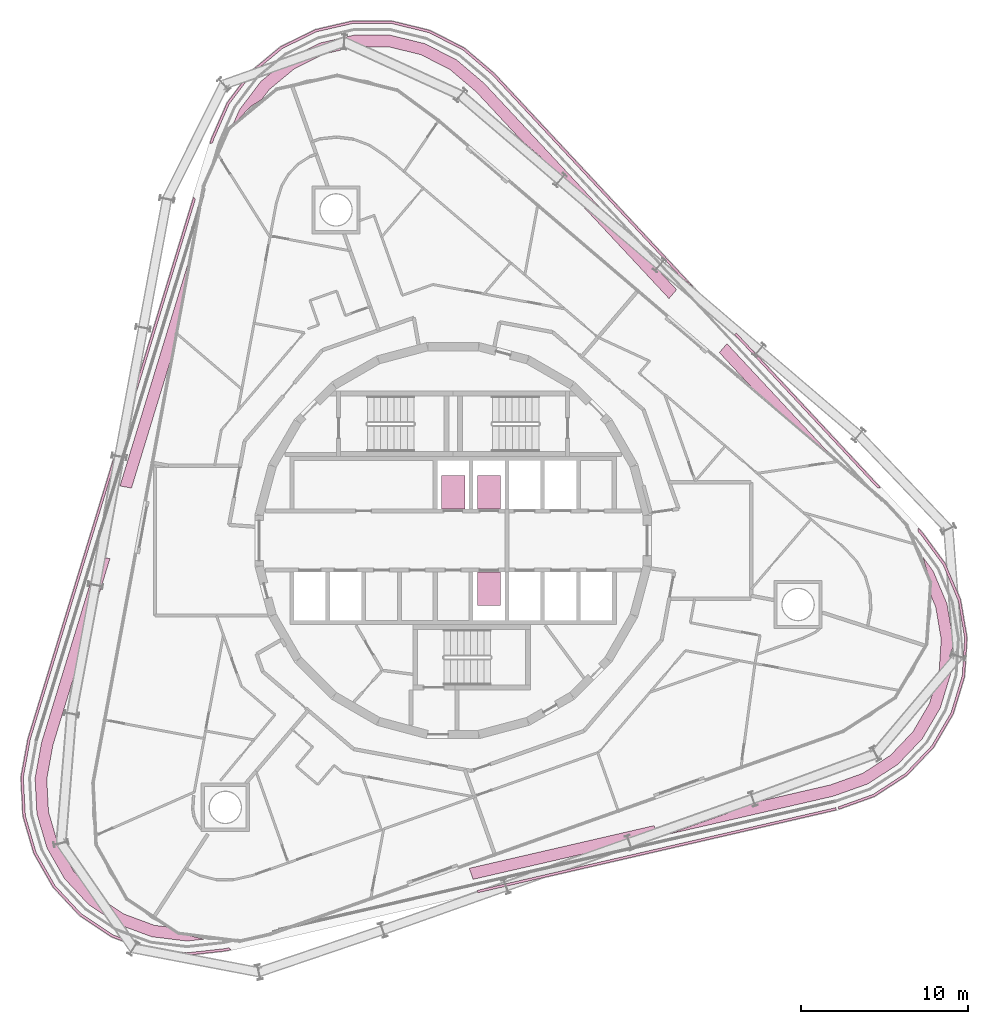
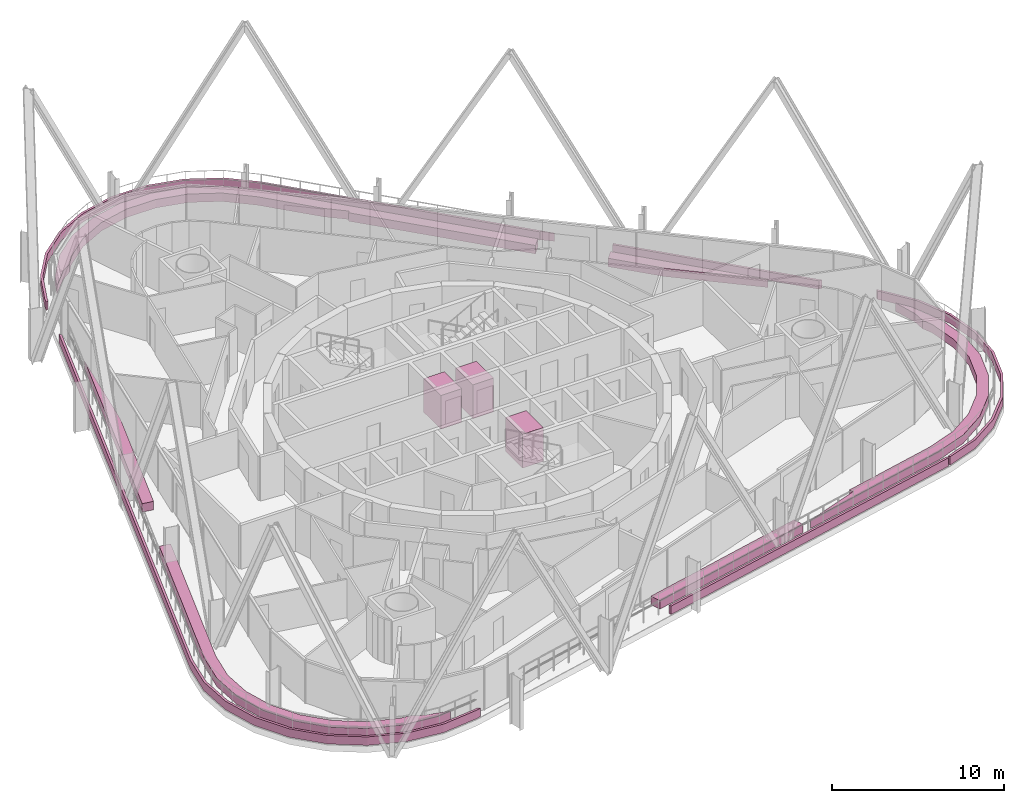
# One storey, part 25 of 25: 11 furniture elements, 3 transport elements.
"""IFC4 building model written with IfcOpenShell, lengths in metres."""

import ifcopenshell
import ifcopenshell.guid

model = None  # the IFC model being written
_history = None  # IfcOwnerHistory: only IFC2X3 demands one
_inside = {}  # id of a spatial element -> (the spatial element, [elements in it])
_under = {}  # id of a project, library or spatial element -> (it, [spatial elements below it])
_declared = {}  # id of a project -> (the project, [libraries it declares])
_typed = {}  # id of a type object -> (the type object, [elements of that type])
_made_of = {}  # id of a material, layer set ... -> (it, [elements and type objects made of it])


def new_model(schema):
    """Start an empty IFC model of exactly this schema.

    Asked for "IFC4X3", IfcOpenShell would pick the latest addendum, in which some entities
    have other attributes; the version numbers below select the first issue.
    IFC2X3 requires an IfcOwnerHistory on every rooted entity: one is made here for all.
    """
    global model, _history
    if schema == "IFC4X3":
        model = ifcopenshell.file(schema_version=(4, 3, 0, 0))
    else:
        model = ifcopenshell.file(schema=schema)
    _inside.clear()
    _under.clear()
    _declared.clear()
    _typed.clear()
    _made_of.clear()
    _history = None
    if model.schema == "IFC2X3":
        org = make("IfcOrganization", Name="unknown")
        user = make(
            "IfcPersonAndOrganization",
            ThePerson=make("IfcPerson", FamilyName="unknown"),
            TheOrganization=org,
        )
        app = make(
            "IfcApplication",
            ApplicationDeveloper=org,
            Version="unknown",
            ApplicationFullName="unknown",
            ApplicationIdentifier="unknown",
        )
        _history = make(
            "IfcOwnerHistory",
            OwningUser=user,
            OwningApplication=app,
            ChangeAction="ADDED",
            CreationDate=0,
        )
    return model


def make(cls, **values):
    """One entity of the class cls with the attributes given. An attribute that is None is left unset."""
    return model.create_entity(
        cls, **{name: value for name, value in values.items() if value is not None}
    )


def rooted(cls, **values):
    """An entity with a GlobalId (a new one), such as an element, a storey or a relation."""
    return make(cls, GlobalId=ifcopenshell.guid.new(), OwnerHistory=_history, **values)


def si_unit(unit_type, name, prefix=None):
    """IfcSIUnit, for example si_unit("LENGTHUNIT", "METRE", prefix="MILLI")."""
    return make("IfcSIUnit", UnitType=unit_type, Prefix=prefix, Name=name)


def assignment(units):
    """IfcUnitAssignment: the units of a project."""
    return None if units is None else make("IfcUnitAssignment", Units=units)


def point(xyz):
    """IfcCartesianPoint."""
    return None if xyz is None else make("IfcCartesianPoint", Coordinates=xyz)


def direction(xyz):
    """IfcDirection."""
    return None if xyz is None else make("IfcDirection", DirectionRatios=xyz)


def frame(location, z_axis=None, x_axis=None):
    """IfcAxis2Placement3D, a coordinate frame: its origin and axes. An axis left out is left unset."""
    return make(
        "IfcAxis2Placement3D",
        Location=point(location),
        Axis=direction(z_axis),
        RefDirection=direction(x_axis),
    )


def frame_2d(location, x_axis=None):
    """IfcAxis2Placement2D, a coordinate frame in the plane: its origin and x axis."""
    return make(
        "IfcAxis2Placement2D", Location=point(location), RefDirection=direction(x_axis)
    )


def origin():
    """The frame at (0, 0, 0) with its axes left unset."""
    return frame((0.0, 0.0, 0.0))


def origin_2d():
    """The frame at (0, 0) in the plane with its x axis left unset."""
    return frame_2d((0.0, 0.0))


def place(relative_to, where):
    """IfcLocalPlacement: puts the frame where relative to a parent placement (None: the world)."""
    return make(
        "IfcLocalPlacement", PlacementRelTo=relative_to, RelativePlacement=where
    )


def context(
    kind, dimensions, precision=None, world=None, true_north=None, identifier=None
):
    """IfcGeometricRepresentationContext, for example the 3D "Model" context."""
    return make(
        "IfcGeometricRepresentationContext",
        ContextIdentifier=identifier,
        ContextType=kind,
        CoordinateSpaceDimension=dimensions,
        Precision=precision,
        WorldCoordinateSystem=world,
        TrueNorth=true_north,
    )


def subcontext(parent, identifier, kind, view, scale=None):
    """IfcGeometricRepresentationSubContext, for example "Body" below "Model"."""
    return make(
        "IfcGeometricRepresentationSubContext",
        ContextIdentifier=identifier,
        ContextType=kind,
        ParentContext=parent,
        TargetScale=scale,
        TargetView=view,
    )


def project(units=None, contexts=None):
    """IfcProject with its units and contexts."""
    return rooted(
        "IfcProject",
        Name="project",
        RepresentationContexts=contexts,
        UnitsInContext=assignment(units),
    )


def spatial(cls, under=None, at=None, **own):
    """A site, building, storey or space (cls), placed at a placement, below another one or the project."""
    s = rooted(cls, ObjectPlacement=at, **own)
    if under is not None:
        _under.setdefault(under.id(), (under, []))[1].append(s)
    return s


def polyline(points):
    """IfcPolyline through the points."""
    return make("IfcPolyline", Points=[point(p) for p in points])


def profile(cls, at=None, kind="AREA", **sizes):
    """A parametric profile (cls). Its sizes go by their IFC names, for example OverallWidth=200.0."""
    return make(cls, ProfileType=kind, Position=at, **sizes)


def rectangle(**sizes):
    """IfcRectangleProfileDef."""
    return profile("IfcRectangleProfileDef", **sizes)


def outline(outer, holes=None, kind="AREA"):
    """IfcArbitraryClosedProfileDef: a profile drawn as a closed curve; with holes, ...WithVoids."""
    if holes is None:
        return make("IfcArbitraryClosedProfileDef", ProfileType=kind, OuterCurve=outer)
    return make(
        "IfcArbitraryProfileDefWithVoids",
        ProfileType=kind,
        OuterCurve=outer,
        InnerCurves=holes,
    )


def extrude(swept, where, along, depth):
    """IfcExtrudedAreaSolid: the profile swept, set in the frame where, extruded along a direction by depth."""
    return make(
        "IfcExtrudedAreaSolid",
        SweptArea=swept,
        Position=where,
        ExtrudedDirection=direction(along),
        Depth=depth,
    )


def shape(context_of_items, identifier, shape_type, items):
    """IfcShapeRepresentation: the items that make up one representation, for example the "Body"."""
    return make(
        "IfcShapeRepresentation",
        ContextOfItems=context_of_items,
        RepresentationIdentifier=identifier,
        RepresentationType=shape_type,
        Items=items,
    )


def material(Name=None, Category=None):
    """IfcMaterial."""
    return make("IfcMaterial", Name=Name, Category=Category)


def made_of(thing, what):
    """Note that an element or type object is made of a material, layer set ...; save() writes the relation."""
    if what is not None:
        _made_of.setdefault(what.id(), (what, []))[1].append(thing)
    return thing


def type_object(cls, material=None, **own):
    """A type object (cls), such as IfcWallType, which elements share."""
    return made_of(rooted(cls, **own), material)


def element(
    cls,
    number,
    at=None,
    inside=None,
    cuts=None,
    type_object=None,
    material=None,
    context=None,
    identifier="Body",
    shape_type=None,
    held_by="IfcProductDefinitionShape",
    body=None,
    shapes=None,
    **own,
):
    """One element of the class cls, such as IfcWall. Its Tag is "e" and its number.

    at: its placement. inside: the storey or other place that contains it. cuts: it is an
    opening in that element (IfcRelVoidsElement). A single representation is given by context,
    identifier, shape_type and body (its items); several are given by shapes. held_by: the class
    of the entity that holds the representations. save() writes the other relations.
    """
    e = rooted(cls, Tag="e%d" % number, ObjectPlacement=at, **own)
    if body is not None:
        shapes = [shape(context, identifier, shape_type, body)]
    if shapes is not None:
        e.Representation = make(held_by, Representations=shapes)
    if inside is not None:
        _inside.setdefault(inside.id(), (inside, []))[1].append(e)
    if cuts is not None:
        rooted(
            "IfcRelVoidsElement", RelatingBuildingElement=cuts, RelatedOpeningElement=e
        )
    if type_object is not None:
        _typed.setdefault(type_object.id(), (type_object, []))[1].append(e)
    return made_of(e, material)


def aggregate(whole, parts):
    """IfcRelAggregates: a whole, such as a stair, and the parts it consists of."""
    return rooted("IfcRelAggregates", RelatingObject=whole, RelatedObjects=parts)


def save(model, path):
    """Write the relations noted so far, then the file.

    IfcRelAggregates (storeys below a building ...), IfcRelContainedInSpatialStructure (elements
    in a storey), IfcRelDefinesByType, IfcRelAssociatesMaterial and IfcRelDeclares: one each for
    every whole, place, type object, material and project.
    """
    for whole, parts in _under.values():
        aggregate(whole, parts)
    for where, things in _inside.values():
        rooted(
            "IfcRelContainedInSpatialStructure",
            RelatedElements=things,
            RelatingStructure=where,
        )
    for kind, things in _typed.values():
        rooted("IfcRelDefinesByType", RelatedObjects=things, RelatingType=kind)
    for what, things in _made_of.values():
        rooted("IfcRelAssociatesMaterial", RelatedObjects=things, RelatingMaterial=what)
    for by, libraries in _declared.values():
        rooted("IfcRelDeclares", RelatingContext=by, RelatedDefinitions=libraries)
    model.write(path)


model = new_model("IFC4")

# Units and contexts
model_context = context("Model", 3, precision=1e-05, world=origin(), true_north=direction((0.0, 1.0)))
body_context = subcontext(model_context, "Body", "Model", "MODEL_VIEW")
ifc_project = project(units=[si_unit("LENGTHUNIT", "METRE"), si_unit("AREAUNIT", "SQUARE_METRE"), si_unit("VOLUMEUNIT", "CUBIC_METRE"), si_unit("PLANEANGLEUNIT", "RADIAN"), si_unit("MASSUNIT", "GRAM", prefix="KILO")], contexts=[model_context])

# Site, building, storey
site_placement = place(None, origin())
site = spatial("IfcSite", under=ifc_project, at=site_placement, CompositionType="ELEMENT")
building_placement = place(site_placement, origin())
building = spatial("IfcBuilding", under=site, at=building_placement, Name="Spindle Arch Residences", CompositionType="ELEMENT")
storey_placement = place(building_placement, frame((0.0, 0.0, 151.699951171875)))
storey = spatial("IfcBuildingStorey", under=building, at=storey_placement, Name="L37", CompositionType="ELEMENT", Elevation=151.699951171875)

# Transport elements
ifc_material = material(Name="Stainless steel", Category="steel")
transport_element_type = type_object("IfcTransportElementType", Name="Passenger lift car 1400x2000", PredefinedType="ELEVATOR", material=ifc_material)
for number, where, z_axis, x_axis, name in (
    (1, (0.0, 2.89990234375, 0.0), (0.0, 0.0, 1.0), (1.0, 0.0, 0.0), "Passenger lift MB1"),
    (2, (2.14990234375, 2.89990234375, 0.0), (0.0, 0.0, 1.0), (1.0, 0.0, 0.0), "Passenger lift MB2"),
    (3, (2.14990234375, -2.89990234375, 0.0), (0.0, 0.0, 1.0), (1.0, 0.0, 0.0), "Passenger lift MB3"),
):
    element("IfcTransportElement", number, at=place(storey_placement, frame(where, z_axis=z_axis, x_axis=x_axis)), inside=storey, type_object=transport_element_type, Name=name, PredefinedType="ELEVATOR", context=body_context, shape_type="SweptSolid", body=[
        extrude(rectangle(XDim=1.39990234375, YDim=2.0, at=origin_2d()), origin(), (0.0, 0.0, 1.0), 2.39990234375),
    ])

# Furniture
furniture_1_placement = place(storey_placement, frame((0.0, 0.0, 0.030029296875)))
element("IfcFurniture", 4, at=furniture_1_placement, inside=storey, Name="PLANTER L36 1", ObjectType="PLANTER", PredefinedType="USERDEFINED", context=body_context, shape_type="SweptSolid", body=[
    extrude(outline(polyline([(29.5625, -1.394287109375), (30.47412109375, -3.542236328125), (30.865966796875, -5.842529296875), (30.716796875, -8.171142578125), (30.034423828125, -10.402587890625), (28.85595703125, -12.41650390625), (27.244873046875, -14.104248046875), (25.2880859375, -15.375244140625), (23.162353515625, -16.134765625), (23.112060546875, -15.99365234375), (25.222412109375, -15.236328125), (27.149169921875, -13.984375), (28.735107421875, -12.32177734375), (29.89501953125, -10.338134765625), (30.57080078125, -8.10302734375), (30.71240234375, -5.84765625), (30.3359375, -3.625), (29.430419921875, -1.47265625), (28.074462890625, 0.37548828125), (27.90673828125, 0.558837890625), (27.935791015625, 0.747802734375), (28.17822265625, 0.48779296875), (29.5625, -1.394287109375)])), origin(), (0.0, 0.0, 1.0), 0.60009765625),
])
furniture_2_placement = place(storey_placement, frame((0.0, 0.0, 0.030029296875)))
element("IfcFurniture", 5, at=furniture_2_placement, inside=storey, Name="PLANTER L36 2", ObjectType="PLANTER", PredefinedType="USERDEFINED", context=body_context, shape_type="SweptSolid", body=[
    extrude(outline(polyline([(28.65283203125, -2.51025390625), (28.2138671875, -0.995361328125), (28.81884765625, -1.81787109375), (29.65283203125, -3.78271484375), (30.01123046875, -5.88720703125), (29.874755859375, -8.017578125), (29.250732421875, -10.058837890625), (28.172607421875, -11.9013671875), (26.69873046875, -13.445556640625), (24.908447265625, -14.608154296875), (22.8486328125, -15.344482421875), (12.878662109375, -17.64599609375), (16.470703125, -16.3740234375), (16.38037109375, -16.119140625), (22.654052734375, -14.67041015625), (24.595703125, -13.976318359375), (26.2529296875, -12.89892578125), (27.609375, -11.47705078125), (28.602294921875, -9.781005859375), (29.18115234375, -7.89111328125), (29.30712890625, -5.924072265625), (28.976318359375, -3.981201171875), (28.69287109375, -3.3125), (28.65283203125, -2.51025390625)])), origin(), (0.0, 0.0, 1.0), 0.60009765625),
])
furniture_3_placement = place(storey_placement, frame((0.0, 0.0, 0.030029296875)))
element("IfcFurniture", 6, at=furniture_3_placement, inside=storey, Name="PLANTER L36 3", ObjectType="PLANTER", PredefinedType="USERDEFINED", context=body_context, shape_type="SweptSolid", body=[
    extrude(outline(polyline([(1.19921875, -20.342529296875), (0.964111328125, -19.678466796875), (12.0654296875, -17.115478515625), (12.300537109375, -17.779541015625), (1.19921875, -20.342529296875)])), origin(), (0.0, 0.0, 1.0), 0.60009765625),
])
furniture_4_placement = place(storey_placement, frame((0.0, 0.0, 0.030029296875)))
element("IfcFurniture", 7, at=furniture_4_placement, inside=storey, Name="PLANTER L36 4", ObjectType="PLANTER", PredefinedType="USERDEFINED", context=body_context, shape_type="SweptSolid", body=[
    extrude(outline(polyline([(-13.57373046875, 26.298828125), (-12.16943359375, 28.162353515625), (-10.373291015625, 29.65185546875), (-8.281982421875, 30.68701171875), (-6.008544921875, 31.2119140625), (-3.675048828125, 31.1982421875), (-1.40771484375, 30.64697265625), (0.67138671875, 29.587646484375), (2.4521484375, 28.075439453125), (14.55224609375, 15.099853515625), (13.914306640625, 15.644775390625), (13.878173828125, 15.6025390625), (2.3603515625, 27.953857421875), (0.588623046875, 29.458251953125), (-1.45849609375, 30.501953125), (-3.69091796875, 31.045654296875), (-5.988525390625, 31.0595703125), (-8.2275390625, 30.54345703125), (-10.25439453125, 29.54345703125), (-12.084716796875, 28.025390625), (-13.439697265625, 26.223876953125), (-14.362548828125, 24.12548828125), (-14.4375, 23.888427734375), (-14.615478515625, 23.8193359375), (-14.511474609375, 24.1591796875), (-13.57373046875, 26.298828125)])), origin(), (0.0, 0.0, 1.0), 0.60009765625),
])
furniture_5_placement = place(storey_placement, frame((0.0, 0.0, 0.030029296875)))
element("IfcFurniture", 8, at=furniture_5_placement, inside=storey, Name="PLANTER L36 5", ObjectType="PLANTER", PredefinedType="USERDEFINED", context=body_context, shape_type="SweptSolid", body=[
    extrude(outline(polyline([(25.67578125, 3.17138671875), (25.474853515625, 3.1669921875), (16.8984375, 12.36376953125), (16.99658203125, 12.478759765625), (25.67578125, 3.17138671875)])), origin(), (0.0, 0.0, 1.0), 0.60009765625),
])
furniture_6_placement = place(storey_placement, frame((0.0, 0.0, 0.030029296875)))
element("IfcFurniture", 9, at=furniture_6_placement, inside=storey, Name="PLANTER L36 6", ObjectType="PLANTER", PredefinedType="USERDEFINED", context=body_context, shape_type="SweptSolid", body=[
    extrude(outline(polyline([(1.48486328125, -21.14892578125), (1.434326171875, -21.006591796875), (22.97705078125, -16.033203125), (23.010986328125, -16.17919921875), (1.48486328125, -21.14892578125)])), origin(), (0.0, 0.0, 1.0), 0.60009765625),
])
furniture_7_placement = place(storey_placement, frame((0.0, 0.0, 0.030029296875)))
element("IfcFurniture", 10, at=furniture_7_placement, inside=storey, Name="PLANTER L36 7", ObjectType="PLANTER", PredefinedType="USERDEFINED", context=body_context, shape_type="SweptSolid", body=[
    extrude(outline(polyline([(15.9833984375, 11.29248046875), (16.44091796875, 11.828125), (23.000244140625, 4.794189453125), (18.29833984375, 8.81005859375), (15.9833984375, 11.29248046875)])), origin(), (0.0, 0.0, 1.0), 0.60009765625),
])
furniture_8_placement = place(storey_placement, frame((0.0, 0.0, 0.030029296875)))
element("IfcFurniture", 11, at=furniture_8_placement, inside=storey, Name="PLANTER L36 8", ObjectType="PLANTER", PredefinedType="USERDEFINED", context=body_context, shape_type="SweptSolid", body=[
    extrude(outline(polyline([(5.19287109375, 22.86376953125), (5.306396484375, 22.99658203125), (4.140625, 23.9921875), (1.38232421875, 26.9501953125), (-0.194091796875, 28.28857421875), (-1.9501953125, 29.183349609375), (-3.865234375, 29.64892578125), (-5.842041015625, 29.659423828125), (-7.756591796875, 29.217041015625), (-9.51806640625, 28.345703125), (-11.040283203125, 27.084716796875), (-11.477783203125, 26.5048828125), (-12.15234375, 26.069091796875), (-13.244873046875, 24.931640625), (-12.835205078125, 25.86669921875), (-11.55029296875, 27.571533203125), (-9.9072265625, 28.93408203125), (-7.993896484375, 29.881103515625), (-5.9140625, 30.361328125), (-3.779296875, 30.348876953125), (-1.705078125, 29.844482421875), (0.19677734375, 28.87548828125), (1.8642578125, 27.45947265625), (13.420654296875, 15.06689453125), (12.963134765625, 14.53125), (5.19287109375, 22.86376953125)])), origin(), (0.0, 0.0, 1.0), 0.60009765625),
])
furniture_9_placement = place(storey_placement, frame((0.0, 0.0, 0.030029296875)))
element("IfcFurniture", 12, at=furniture_9_placement, inside=storey, Name="PLANTER L36 9", ObjectType="PLANTER", PredefinedType="USERDEFINED", context=body_context, shape_type="SweptSolid", body=[
    extrude(outline(polyline([(-18.3046875, -24.620361328125), (-20.49267578125, -23.8095703125), (-22.4345703125, -22.515869140625), (-24.026123046875, -20.809326171875), (-25.180908203125, -18.781982421875), (-25.837158203125, -16.542724609375), (-25.959228515625, -14.21240234375), (-25.540283203125, -11.9140625), (-15.584228515625, 20.650146484375), (-15.47998046875, 20.478271484375), (-25.38818359375, -11.929931640625), (-25.806396484375, -14.22509765625), (-25.685302734375, -16.519775390625), (-25.03857421875, -18.724609375), (-23.900634765625, -20.720703125), (-22.3330078125, -22.40087890625), (-20.42041015625, -23.674072265625), (-18.265625, -24.471923828125), (-15.99072265625, -24.751220703125), (-13.712158203125, -24.5009765625), (-13.46923828125, -24.447509765625), (-13.3203125, -24.56689453125), (-13.66650390625, -24.64697265625), (-15.98876953125, -24.904541015625), (-18.3046875, -24.620361328125)])), origin(), (0.0, 0.0, 1.0), 0.60009765625),
])
furniture_10_placement = place(storey_placement, frame((0.0, 0.0, 0.030029296875)))
element("IfcFurniture", 13, at=furniture_10_placement, inside=storey, Name="PLANTER L36 10", ObjectType="PLANTER", PredefinedType="USERDEFINED", context=body_context, shape_type="SweptSolid", body=[
    extrude(outline(polyline([(-19.313232421875, 3.15234375), (-20.005859375, 3.28076171875), (-15.65185546875, 17.521728515625), (-16.77880859375, 11.441650390625), (-19.313232421875, 3.15234375)])), origin(), (0.0, 0.0, 1.0), 0.60009765625),
])
furniture_11_placement = place(storey_placement, frame((0.0, 0.0, 0.030029296875)))
element("IfcFurniture", 14, at=furniture_11_placement, inside=storey, Name="PLANTER L36 11", ObjectType="PLANTER", PredefinedType="USERDEFINED", context=body_context, shape_type="SweptSolid", body=[
    extrude(outline(polyline([(-24.03076171875, -12.278076171875), (-24.401611328125, -14.312255859375), (-24.29833984375, -16.280517578125), (-23.744140625, -18.171875), (-22.7685546875, -19.884521484375), (-21.42431640625, -21.326171875), (-19.783935546875, -22.418701171875), (-17.935791015625, -23.103515625), (-17.215087890625, -23.1923828125), (-16.50048828125, -23.558837890625), (-14.968994140625, -23.936279296875), (-15.983642578125, -24.048828125), (-18.1025390625, -23.788818359375), (-20.104248046875, -23.046875), (-21.880859375, -21.863525390625), (-23.336669921875, -20.30224609375), (-24.393310546875, -18.447509765625), (-24.99365234375, -16.39892578125), (-25.105224609375, -14.26708984375), (-24.712890625, -12.115234375), (-21.300537109375, -0.954345703125), (-20.60791015625, -1.082763671875), (-24.03076171875, -12.278076171875)])), origin(), (0.0, 0.0, 1.0), 0.60009765625),
])

save(model, "model.ifc")
